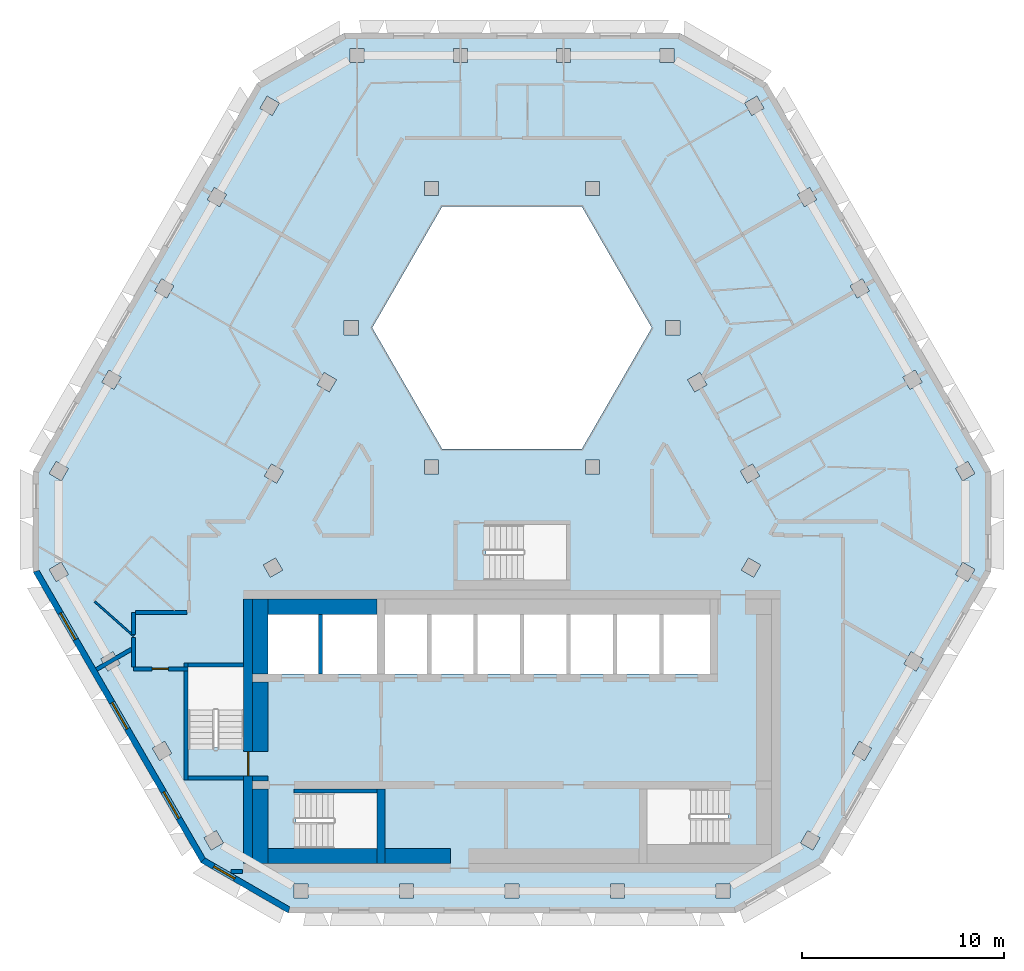
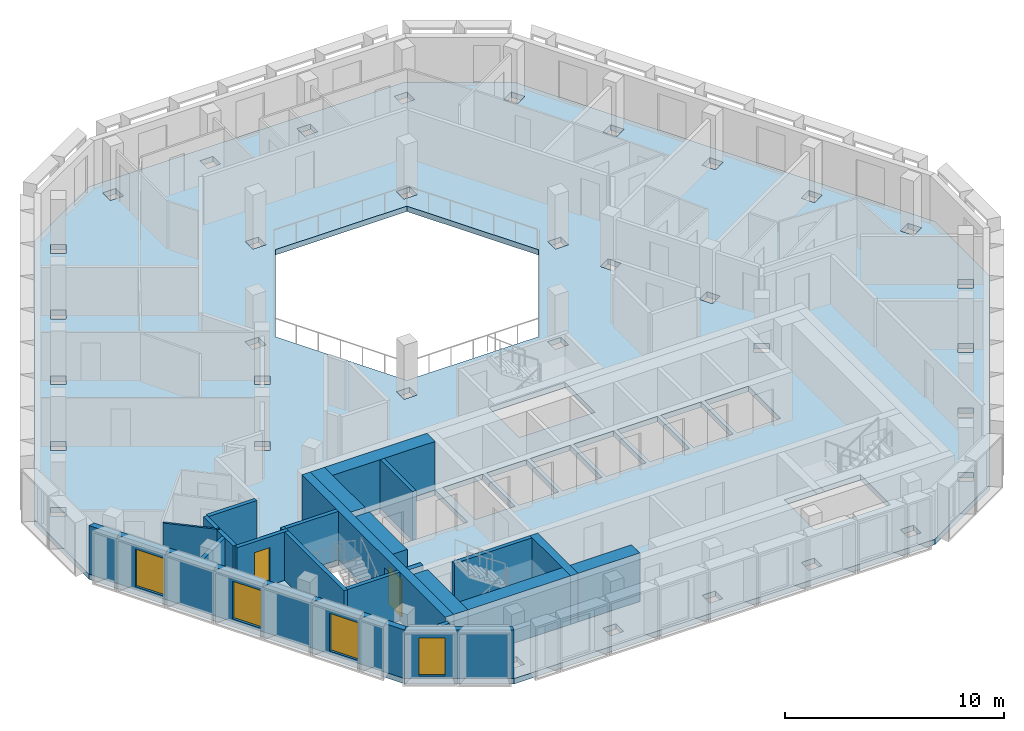
# One storey, part 2 of 14: 23 walls, 4 windows, 2 doors, 1 slab, 6 openings.
"""IFC4 building model written with IfcOpenShell, lengths in metres."""

from ifc_helpers import new_model, si_unit, direction, frame, frame_2d, origin, place, context, subcontext, project, spatial, polyline, rectangle, outline, extrude, material, layer, layer_set, type_object, element, fill, save


model = new_model("IFC4")

# Units and contexts
model_context = context("Model", 3, precision=1e-05, world=origin(), true_north=direction((0.0, 1.0)))
body_context = subcontext(model_context, "Body", "Model", "MODEL_VIEW")
ifc_project = project(units=[si_unit("LENGTHUNIT", "METRE"), si_unit("AREAUNIT", "SQUARE_METRE"), si_unit("VOLUMEUNIT", "CUBIC_METRE"), si_unit("PLANEANGLEUNIT", "RADIAN"), si_unit("MASSUNIT", "GRAM", prefix="KILO")], contexts=[model_context])

# Site, building, storey
site_placement = place(None, origin())
site = spatial("IfcSite", under=ifc_project, at=site_placement, CompositionType="ELEMENT")
building_placement = place(site_placement, origin())
building = spatial("IfcBuilding", under=site, at=building_placement, Name="Beryl Residences", CompositionType="ELEMENT")
storey_placement = place(building_placement, frame((0.0, 0.0, 235.800048828125)))
storey = spatial("IfcBuildingStorey", under=building, at=storey_placement, Name="L73", CompositionType="ELEMENT", Elevation=235.800048828125)

# Slab
ifc_material_1 = material(Name="Concrete C40/50", Category="concrete")
ifc_layer_1 = layer(ifc_material_1, 0.300048828125)
ifc_layer_set_1 = layer_set([ifc_layer_1], Name="SL7 PT floor slab 300 mm C40/50")
slab_type = type_object("IfcSlabType", Name="SL7 PT floor slab 300 mm C40/50", PredefinedType="FLOOR", material=ifc_layer_set_1)
slab_placement = place(storey_placement, frame((0.0, 0.0, -0.300048828125)))
element("IfcSlab", 1, at=slab_placement, inside=storey, type_object=slab_type, Name="L73 slab 1", PredefinedType="FLOOR", context=body_context, shape_type="SweptSolid", body=[
    extrude(outline(polyline([(23.72900390625, -4.10009765625), (15.4150390625, -18.5), (11.0849609375, -21.0), (-11.0849609375, -21.0), (-15.4150390625, -18.5), (-23.72900390625, -4.10009765625), (-23.72900390625, 0.89990234375), (-12.64404296875, 20.10009765625), (-8.31396484375, 22.60009765625), (8.31396484375, 22.60009765625), (12.64404296875, 20.10009765625), (23.72900390625, 0.89990234375), (23.72900390625, -4.10009765625)]), holes=[polyline([(21.97998046875, 1.028076171875), (22.330078125, 0.422119140625), (22.93603515625, 0.77197265625), (22.5859375, 1.3779296875), (21.97998046875, 1.028076171875)]), polyline([(21.97998046875, -4.22900390625), (22.5859375, -4.5791015625), (22.93603515625, -3.972900390625), (22.330078125, -3.623046875), (21.97998046875, -4.22900390625)]), polyline([(19.77099609375, -8.055908203125), (19.4208984375, -8.662109375), (20.027099609375, -9.011962890625), (20.376953125, -8.406005859375), (19.77099609375, -8.055908203125)]), polyline([(19.367919921875, 5.552978515625), (19.718017578125, 4.947021484375), (20.323974609375, 5.297119140625), (19.97412109375, 5.903076171875), (19.367919921875, 5.552978515625)]), polyline([(17.2109375, -12.489013671875), (16.861083984375, -13.094970703125), (17.467041015625, -13.445068359375), (17.81689453125, -12.839111328125), (17.2109375, -12.489013671875)]), polyline([(17.361083984375, 10.427978515625), (16.7548828125, 10.077880859375), (17.10498046875, 9.471923828125), (17.7109375, 9.822021484375), (17.361083984375, 10.427978515625)]), polyline([(15.258056640625, -17.27197265625), (14.652099609375, -16.922119140625), (14.302001953125, -17.528076171875), (14.907958984375, -17.8779296875), (15.258056640625, -17.27197265625)]), polyline([(14.14306640625, 14.60302734375), (14.492919921875, 13.9970703125), (15.09912109375, 14.346923828125), (14.7490234375, 14.952880859375), (14.14306640625, 14.60302734375)]), polyline([(11.531005859375, 19.1279296875), (11.881103515625, 18.52197265625), (12.487060546875, 18.8720703125), (12.136962890625, 19.47802734375), (11.531005859375, 19.1279296875)]), polyline([(11.717041015625, -3.406005859375), (11.366943359375, -4.011962890625), (11.972900390625, -4.362060546875), (12.322998046875, -3.756103515625), (11.717041015625, -3.406005859375)]), polyline([(11.919921875, 1.2529296875), (11.31396484375, 0.903076171875), (11.6640625, 0.297119140625), (12.27001953125, 0.64697265625), (11.919921875, 1.2529296875)]), polyline([(10.800048828125, -19.550048828125), (10.10009765625, -19.550048828125), (10.10009765625, -20.25), (10.800048828125, -20.25), (10.800048828125, -19.550048828125)]), polyline([(6.699951171875, -14.85009765625), (6.699951171875, -17.60009765625), (10.699951171875, -17.60009765625), (10.699951171875, -14.85009765625), (6.699951171875, -14.85009765625)]), polyline([(7.5, -9.14990234375), (9.800048828125, -9.14990234375), (9.800048828125, -6.199951171875), (7.5, -6.199951171875), (7.5, -9.14990234375)]), polyline([(8.700927734375, 5.427978515625), (9.051025390625, 4.822021484375), (9.656982421875, 5.172119140625), (9.306884765625, 5.778076171875), (8.700927734375, 5.427978515625)]), polyline([(8.31689453125, 7.64990234375), (8.31689453125, 8.35009765625), (7.616943359375, 8.35009765625), (7.616943359375, 7.64990234375), (8.31689453125, 7.64990234375)]), polyline([(7.3291015625, 21.85009765625), (7.3291015625, 21.14990234375), (8.029052734375, 21.14990234375), (8.029052734375, 21.85009765625), (7.3291015625, 21.85009765625)]), polyline([(5.199951171875, -9.14990234375), (7.300048828125, -9.14990234375), (7.300048828125, -6.199951171875), (5.199951171875, -6.199951171875), (5.199951171875, -9.14990234375)]), polyline([(3.464111328125, 14.0), (-3.464111328125, 14.0), (-6.92822265625, 8.0), (-3.464111328125, 2.0), (3.464111328125, 2.0), (6.92822265625, 8.0), (3.464111328125, 14.0)]), polyline([(4.875, -19.550048828125), (4.875, -20.25), (5.574951171875, -20.25), (5.574951171875, -19.550048828125), (4.875, -19.550048828125)]), polyline([(2.89990234375, -9.14990234375), (5.0, -9.14990234375), (5.0, -6.199951171875), (2.89990234375, -6.199951171875), (2.89990234375, -9.14990234375)]), polyline([(4.333984375, 15.25), (3.634033203125, 15.25), (3.634033203125, 14.550048828125), (4.333984375, 14.550048828125), (4.333984375, 15.25)]), polyline([(4.333984375, 1.449951171875), (3.634033203125, 1.449951171875), (3.634033203125, 0.75), (4.333984375, 0.75), (4.333984375, 1.449951171875)]), polyline([(2.2099609375, 21.85009765625), (2.2099609375, 21.14990234375), (2.909912109375, 21.14990234375), (2.909912109375, 21.85009765625), (2.2099609375, 21.85009765625)]), polyline([(2.699951171875, -9.14990234375), (2.699951171875, -6.199951171875), (0.60009765625, -6.199951171875), (0.60009765625, -9.14990234375), (2.699951171875, -9.14990234375)]), polyline([(2.699951171875, -4.5), (2.699951171875, -1.75), (-1.300048828125, -1.75), (-1.300048828125, -4.5), (2.699951171875, -4.5)]), polyline([(0.39990234375, -6.199951171875), (-1.699951171875, -6.199951171875), (-1.699951171875, -9.14990234375), (0.39990234375, -9.14990234375), (0.39990234375, -6.199951171875)]), polyline([(0.35009765625, -19.550048828125), (-0.35009765625, -19.550048828125), (-0.35009765625, -20.25), (0.35009765625, -20.25), (0.35009765625, -19.550048828125)]), polyline([(-4.0, -9.14990234375), (-1.89990234375, -9.14990234375), (-1.89990234375, -6.199951171875), (-4.0, -6.199951171875), (-4.0, -9.14990234375)]), polyline([(-2.908935546875, 21.14990234375), (-2.208984375, 21.14990234375), (-2.208984375, 21.85009765625), (-2.908935546875, 21.85009765625), (-2.908935546875, 21.14990234375)]), polyline([(-3.634033203125, 15.25), (-4.333984375, 15.25), (-4.333984375, 14.550048828125), (-3.634033203125, 14.550048828125), (-3.634033203125, 15.25)]), polyline([(-4.333984375, 1.449951171875), (-4.333984375, 0.75), (-3.634033203125, 0.75), (-3.634033203125, 1.449951171875), (-4.333984375, 1.449951171875)]), polyline([(-6.300048828125, -9.14990234375), (-4.199951171875, -9.14990234375), (-4.199951171875, -6.199951171875), (-6.300048828125, -6.199951171875), (-6.300048828125, -9.14990234375)]), polyline([(-4.875, -19.550048828125), (-5.574951171875, -19.550048828125), (-5.574951171875, -20.25), (-4.875, -20.25), (-4.875, -19.550048828125)]), polyline([(-9.39990234375, -6.199951171875), (-9.39990234375, -9.14990234375), (-6.699951171875, -9.14990234375), (-6.699951171875, -6.199951171875), (-9.39990234375, -6.199951171875)]), polyline([(-10.699951171875, -15.050048828125), (-10.699951171875, -17.800048828125), (-6.699951171875, -17.800048828125), (-6.699951171875, -15.050048828125), (-10.699951171875, -15.050048828125)]), polyline([(-8.028076171875, 21.14990234375), (-7.327880859375, 21.14990234375), (-7.327880859375, 21.85009765625), (-8.028076171875, 21.85009765625), (-8.028076171875, 21.14990234375)]), polyline([(-7.616943359375, 7.64990234375), (-7.616943359375, 8.35009765625), (-8.31689453125, 8.35009765625), (-8.31689453125, 7.64990234375), (-7.616943359375, 7.64990234375)]), polyline([(-9.051025390625, 4.822021484375), (-8.700927734375, 5.427978515625), (-9.306884765625, 5.778076171875), (-9.656982421875, 5.172119140625), (-9.051025390625, 4.822021484375)]), polyline([(-12.10009765625, -9.14990234375), (-9.60009765625, -9.14990234375), (-9.60009765625, -6.199951171875), (-12.10009765625, -6.199951171875), (-12.10009765625, -9.14990234375)]), polyline([(-10.800048828125, -19.550048828125), (-10.800048828125, -20.25), (-10.10009765625, -20.25), (-10.10009765625, -19.550048828125), (-10.800048828125, -19.550048828125)]), polyline([(-12.27001953125, 0.64697265625), (-11.6640625, 0.297119140625), (-11.31396484375, 0.903076171875), (-11.919921875, 1.2529296875), (-12.27001953125, 0.64697265625)]), polyline([(-11.972900390625, -4.361083984375), (-11.366943359375, -4.010986328125), (-11.717041015625, -3.405029296875), (-12.322998046875, -3.7548828125), (-11.972900390625, -4.361083984375)]), polyline([(-12.487060546875, 18.8720703125), (-11.881103515625, 18.52197265625), (-11.531005859375, 19.1279296875), (-12.136962890625, 19.47802734375), (-12.487060546875, 18.8720703125)]), polyline([(-13.300048828125, -8.800048828125), (-16.050048828125, -8.800048828125), (-16.050048828125, -12.800048828125), (-13.300048828125, -12.800048828125), (-13.300048828125, -8.800048828125)]), polyline([(-14.14306640625, 14.60302734375), (-14.7490234375, 14.952880859375), (-15.09912109375, 14.346923828125), (-14.492919921875, 13.9970703125), (-14.14306640625, 14.60302734375)]), polyline([(-14.302978515625, -17.527099609375), (-14.653076171875, -16.9208984375), (-15.259033203125, -17.27099609375), (-14.908935546875, -17.876953125), (-14.302978515625, -17.527099609375)]), polyline([(-17.10498046875, 9.471923828125), (-16.7548828125, 10.077880859375), (-17.361083984375, 10.427978515625), (-17.7109375, 9.822021484375), (-17.10498046875, 9.471923828125)]), polyline([(-17.2119140625, -12.488037109375), (-17.818115234375, -12.837890625), (-17.468017578125, -13.444091796875), (-16.862060546875, -13.093994140625), (-17.2119140625, -12.488037109375)]), polyline([(-19.718017578125, 4.947021484375), (-19.367919921875, 5.552978515625), (-19.97412109375, 5.903076171875), (-20.323974609375, 5.297119140625), (-19.718017578125, 4.947021484375)]), polyline([(-19.4208984375, -8.660888671875), (-19.77099609375, -8.054931640625), (-20.376953125, -8.405029296875), (-20.027099609375, -9.010986328125), (-19.4208984375, -8.660888671875)]), polyline([(-22.330078125, 0.422119140625), (-21.97998046875, 1.028076171875), (-22.5859375, 1.3779296875), (-22.93603515625, 0.77197265625), (-22.330078125, 0.422119140625)]), polyline([(-21.98095703125, -4.22802734375), (-22.3310546875, -3.6220703125), (-22.93701171875, -3.971923828125), (-22.5869140625, -4.577880859375), (-21.98095703125, -4.22802734375)])]), origin(), (0.0, 0.0, 1.0), 0.300048828125),
])

# Wall, openings, windows
ifc_material_2 = material(Name="Composite metal panel with mineral wool insulation")
ifc_layer_2 = layer(ifc_material_2, 0.300048828125)
ifc_layer_set_2 = layer_set([ifc_layer_2], Name="ES1 pale metal composite panel wall 300 mm")
wall_type_1 = type_object("IfcWallType", Name="ES1 pale metal composite panel wall 300 mm", PredefinedType="SOLIDWALL", material=ifc_layer_set_2)
wall_1_placement = place(storey_placement, frame((-23.59912109375, -4.02490234375, 0.0), z_axis=(0.0, 0.0, 1.0), x_axis=(0.500012653391, -0.866018098222, 0.0)))
wall_1 = element("IfcWall", 2, at=wall_1_placement, inside=storey, type_object=wall_type_1, Name="ES1 external wall L73 SW", PredefinedType="SOLIDWALL", context=body_context, shape_type="SweptSolid", body=[
    extrude(outline(polyline([(0.0, -0.14990234375), (16.6279296875, -0.14990234375), (16.547607421875, 0.14990234375), (0.080322265625, 0.14990234375), (0.0, -0.14990234375)])), origin(), (0.0, 0.0, 1.0), 2.699951171875),
])
opening_1_placement = place(wall_1_placement, frame((2.444091796875, 0.0, 0.14990234375)))
opening_1 = element("IfcOpeningElement", 3, at=opening_1_placement, cuts=wall_1, Name="Opening W1", PredefinedType="OPENING", context=body_context, shape_type="SweptSolid", body=[
    extrude(rectangle(XDim=1.5, YDim=2.10009765625, at=frame_2d((0.75, 1.050048828125))), frame((0.0, 0.159912109375, 0.0), z_axis=(0.0, -1.0, 0.0), x_axis=(1.0, 0.0, 0.0)), (0.0, 0.0, 1.0), 0.320068359375),
])
opening_2_placement = place(wall_1_placement, frame((7.56396484375, 0.0, 0.14990234375)))
opening_2 = element("IfcOpeningElement", 4, at=opening_2_placement, cuts=wall_1, Name="Opening W1", PredefinedType="OPENING", context=body_context, shape_type="SweptSolid", body=[
    extrude(rectangle(XDim=1.5, YDim=2.10009765625, at=frame_2d((0.75, 1.050048828125))), frame((0.0, 0.159912109375, 0.0), z_axis=(0.0, -1.0, 0.0), x_axis=(1.0, 0.0, 0.0)), (0.0, 0.0, 1.0), 0.320068359375),
])
opening_3_placement = place(wall_1_placement, frame((12.681884765625, 0.0, 0.14990234375)))
opening_3 = element("IfcOpeningElement", 5, at=opening_3_placement, cuts=wall_1, Name="Opening W1", PredefinedType="OPENING", context=body_context, shape_type="SweptSolid", body=[
    extrude(rectangle(XDim=1.5, YDim=2.10009765625, at=frame_2d((0.75, 1.050048828125))), frame((0.0, 0.159912109375, 0.0), z_axis=(0.0, -1.0, 0.0), x_axis=(1.0, 0.0, 0.0)), (0.0, 0.0, 1.0), 0.320068359375),
])
ifc_material_3 = material(Name="Aluminium and clear glass", Category="aluminium")
window_type_1 = type_object("IfcWindowType", Name="W1 cell window 1500 x 2100 mm", PartitioningType="SINGLE_PANEL", PredefinedType="WINDOW", material=ifc_material_3)
window_1_placement = place(opening_1_placement, origin())
window_1 = element("IfcWindow", 6, at=window_1_placement, inside=storey, type_object=window_type_1, Name="W1 window L73 SW 2", OverallHeight=2.10009765625, OverallWidth=1.5, PartitioningType="SINGLE_PANEL", PredefinedType="WINDOW", context=body_context, shape_type="SweptSolid", body=[
    extrude(rectangle(XDim=1.5, YDim=2.10009765625, at=frame_2d((0.75, 1.050048828125))), frame((0.0, 0.030029296875, 0.0), z_axis=(0.0, -1.0, 0.0), x_axis=(1.0, 0.0, 0.0)), (0.0, 0.0, 1.0), 0.06005859375),
])
fill(opening_1, window_1)
window_2_placement = place(opening_2_placement, origin())
window_2 = element("IfcWindow", 7, at=window_2_placement, inside=storey, type_object=window_type_1, Name="W1 window L73 SW 4", OverallHeight=2.10009765625, OverallWidth=1.5, PartitioningType="SINGLE_PANEL", PredefinedType="WINDOW", context=body_context, shape_type="SweptSolid", body=[
    extrude(rectangle(XDim=1.5, YDim=2.10009765625, at=frame_2d((0.75, 1.050048828125))), frame((0.0, 0.030029296875, 0.0), z_axis=(0.0, -1.0, 0.0), x_axis=(1.0, 0.0, 0.0)), (0.0, 0.0, 1.0), 0.06005859375),
])
fill(opening_2, window_2)
window_3_placement = place(opening_3_placement, origin())
window_3 = element("IfcWindow", 8, at=window_3_placement, inside=storey, type_object=window_type_1, Name="W1 window L73 SW 6", OverallHeight=2.10009765625, OverallWidth=1.5, PartitioningType="SINGLE_PANEL", PredefinedType="WINDOW", context=body_context, shape_type="SweptSolid", body=[
    extrude(rectangle(XDim=1.5, YDim=2.10009765625, at=frame_2d((0.75, 1.050048828125))), frame((0.0, 0.030029296875, 0.0), z_axis=(0.0, -1.0, 0.0), x_axis=(1.0, 0.0, 0.0)), (0.0, 0.0, 1.0), 0.06005859375),
])
fill(opening_3, window_3)

# Wall, opening, window
wall_2_placement = place(storey_placement, frame((-15.340087890625, -18.3701171875, 0.0), z_axis=(0.0, 0.0, 1.0), x_axis=(0.866022959057, -0.500004234368, 0.0)))
wall_2 = element("IfcWall", 9, at=wall_2_placement, inside=storey, type_object=wall_type_1, Name="ES1 external wall L73 SW-S", PredefinedType="SOLIDWALL", context=body_context, shape_type="SweptSolid", body=[
    extrude(outline(polyline([(0.0, -0.14990234375), (5.0, -0.14990234375), (4.919677734375, 0.14990234375), (0.080322265625, 0.14990234375), (0.0, -0.14990234375)])), origin(), (0.0, 0.0, 1.0), 2.699951171875),
])
opening_4_placement = place(wall_2_placement, frame((0.64990234375, 0.0, 0.14990234375)))
opening_4 = element("IfcOpeningElement", 10, at=opening_4_placement, cuts=wall_2, Name="Opening W2", PredefinedType="OPENING", context=body_context, shape_type="SweptSolid", body=[
    extrude(rectangle(XDim=1.199951171875, YDim=2.10009765625, at=frame_2d((0.60009765625, 1.050048828125))), frame((0.0, 0.159912109375, 0.0), z_axis=(0.0, -1.0, 0.0), x_axis=(1.0, 0.0, 0.0)), (0.0, 0.0, 1.0), 0.320068359375),
])
ifc_material_4 = material(Name="Aluminium and clear glass", Category="aluminium")
window_type_2 = type_object("IfcWindowType", Name="W2 chamfer window 1200 x 2100 mm", PartitioningType="SINGLE_PANEL", PredefinedType="WINDOW", material=ifc_material_4)
window_4_placement = place(opening_4_placement, origin())
window_4 = element("IfcWindow", 11, at=window_4_placement, inside=storey, type_object=window_type_2, Name="W2 window L73 SW-S 1", OverallHeight=2.10009765625, OverallWidth=1.199951171875, PartitioningType="SINGLE_PANEL", PredefinedType="WINDOW", context=body_context, shape_type="SweptSolid", body=[
    extrude(rectangle(XDim=1.199951171875, YDim=2.10009765625, at=frame_2d((0.60009765625, 1.050048828125))), frame((0.0, 0.030029296875, 0.0), z_axis=(0.0, -1.0, 0.0), x_axis=(1.0, 0.0, 0.0)), (0.0, 0.0, 1.0), 0.06005859375),
])
fill(opening_4, window_4)

# Walls
ifc_material_5 = material(Name="Gypsum board partition on steel studs", Category="steel")
ifc_layer_3 = layer(ifc_material_5, 0.10009765625)
ifc_layer_set_3 = layer_set([ifc_layer_3], Name="PT1 partition 100 mm gypsum board on steel studs")
wall_type_2 = type_object("IfcWallType", Name="PT1 partition 100 mm gypsum board on steel studs", PredefinedType="PARTITIONING", material=ifc_layer_set_3)
wall_3_placement = place(storey_placement, frame((-20.678955078125, -5.56494140625, 0.0), z_axis=(0.0, 0.0, 1.0), x_axis=(0.748495475416, -0.663139897217, 0.0)))
element("IfcWall", 12, at=wall_3_placement, inside=storey, type_object=wall_type_2, Name="Wall PT1 L73 020", PredefinedType="PARTITIONING", context=body_context, shape_type="SweptSolid", body=[
    extrude(rectangle(XDim=2.5771484375, YDim=0.10009765625, at=frame_2d((1.28857421875, 0.0))), origin(), (0.0, 0.0, 1.0), 2.699951171875),
])
ifc_material_6 = material(Name="Concrete masonry", Category="masonry")
ifc_layer_4 = layer(ifc_material_6, 0.25)
ifc_layer_set_4 = layer_set([ifc_layer_4], Name="PT13-250 lobby wall 250 mm")
wall_type_3 = type_object("IfcWallType", Name="PT13-250 lobby wall 250 mm", PredefinedType="PARTITIONING", material=ifc_layer_set_4)
wall_4_placement = place(storey_placement, frame((-12.85009765625, -14.324951171875, 0.0), z_axis=(0.0, 0.0, 1.0), x_axis=(1.0, 0.0, 0.0)))
element("IfcWall", 13, at=wall_4_placement, inside=storey, type_object=wall_type_3, Name="Lobby wall 05", PredefinedType="PARTITIONING", context=body_context, shape_type="SweptSolid", body=[
    extrude(rectangle(XDim=0.75, YDim=0.25, at=frame_2d((0.375, 0.0))), origin(), (0.0, 0.0, 1.0), 2.699951171875),
])
ifc_material_7 = material(Name="Concrete masonry", Category="masonry")
ifc_layer_5 = layer(ifc_material_7, 0.75)
ifc_layer_set_5 = layer_set([ifc_layer_5], Name="PT13-750 lobby wall 750 mm")
wall_type_4 = type_object("IfcWallType", Name="PT13-750 lobby wall 750 mm", PredefinedType="PARTITIONING", material=ifc_layer_set_5)
wall_5_placement = place(storey_placement, frame((-12.47509765625, -13.0, 0.0), z_axis=(0.0, 0.0, 1.0), x_axis=(0.0, 1.0, 0.0)))
element("IfcWall", 14, at=wall_5_placement, inside=storey, type_object=wall_type_4, Name="Lobby wall 06", PredefinedType="PARTITIONING", context=body_context, shape_type="SweptSolid", body=[
    extrude(rectangle(XDim=3.449951171875, YDim=0.75, at=frame_2d((1.72509765625, 0.0))), origin(), (0.0, 0.0, 1.0), 2.699951171875),
])
ifc_material_8 = material(Name="Acoustic double stud gypsum board wall")
ifc_layer_6 = layer(ifc_material_8, 0.199951171875)
ifc_layer_set_6 = layer_set([ifc_layer_6], Name="PT3 party wall 200 mm acoustic double stud")
wall_type_5 = type_object("IfcWallType", Name="PT3 party wall 200 mm acoustic double stud", PredefinedType="PARTITIONING", material=ifc_layer_set_6)
wall_6_placement = place(storey_placement, frame((-13.9150390625, -18.949951171875, 0.0), z_axis=(0.0, 0.0, 1.0), x_axis=(1.0, 0.0, 0.0)))
element("IfcWall", 15, at=wall_6_placement, inside=storey, type_object=wall_type_5, Name="Wall PT3 L73 007", PredefinedType="PARTITIONING", context=body_context, shape_type="SweptSolid", body=[
    extrude(rectangle(XDim=0.554931640625, YDim=0.199951171875, at=frame_2d((0.27734375, 0.0))), origin(), (0.0, 0.0, 1.0), 2.699951171875),
])
wall_7_placement = place(storey_placement, frame((-20.592041015625, -8.93310546875, 0.0), z_axis=(0.0, 0.0, 1.0), x_axis=(0.865941000796, 0.500146161777, 0.0)))
element("IfcWall", 16, at=wall_7_placement, inside=storey, type_object=wall_type_5, Name="Wall PT3 L73 011", PredefinedType="PARTITIONING", context=body_context, shape_type="SweptSolid", body=[
    extrude(rectangle(XDim=2.01171875, YDim=0.199951171875, at=frame_2d((1.005859375, 0.0))), origin(), (0.0, 0.0, 1.0), 2.699951171875),
])
ifc_material_9 = material(Name="Double stud gypsum board wall")
ifc_layer_7 = layer(ifc_material_9, 0.199951171875)
ifc_layer_set_7 = layer_set([ifc_layer_7], Name="PT4 corridor wall 200 mm double stud")
wall_type_6 = type_object("IfcWallType", Name="PT4 corridor wall 200 mm double stud", PredefinedType="PARTITIONING", material=ifc_layer_set_7)
wall_8_placement = place(storey_placement, frame((-18.75, -7.341064453125, 0.0), z_axis=(0.0, 0.0, 1.0), x_axis=(0.0, -1.0, 0.0)))
element("IfcWall", 17, at=wall_8_placement, inside=storey, type_object=wall_type_6, Name="Wall PT4 L73 007", PredefinedType="PARTITIONING", context=body_context, shape_type="SweptSolid", body=[
    extrude(rectangle(XDim=1.4580078125, YDim=0.199951171875, at=frame_2d((0.72900390625, 0.0))), origin(), (0.0, 0.0, 1.0), 2.699951171875),
])
wall_9_placement = place(storey_placement, frame((-18.64892578125, -6.10009765625, 0.0), z_axis=(0.0, 0.0, 1.0), x_axis=(1.0, 0.0, 0.0)))
element("IfcWall", 18, at=wall_9_placement, inside=storey, type_object=wall_type_6, Name="Wall PT4 L73 010", PredefinedType="PARTITIONING", context=body_context, shape_type="SweptSolid", body=[
    extrude(rectangle(XDim=2.5478515625, YDim=0.199951171875, at=frame_2d((1.27392578125, 0.0))), origin(), (0.0, 0.0, 1.0), 2.699951171875),
])

# Wall, opening, door
wall_10_placement = place(storey_placement, frame((-18.7490234375, -8.89990234375, 0.0), z_axis=(0.0, 0.0, 1.0), x_axis=(1.0, 0.0, 0.0)))
wall_10 = element("IfcWall", 19, at=wall_10_placement, inside=storey, type_object=wall_type_6, Name="Wall PT4 L73 011", PredefinedType="PARTITIONING", context=body_context, shape_type="SweptSolid", body=[
    extrude(rectangle(XDim=2.698974609375, YDim=0.199951171875, at=frame_2d((1.349609375, 0.0))), origin(), (0.0, 0.0, 1.0), 2.699951171875),
])
opening_5_placement = place(wall_10_placement, frame((0.9189453125, 0.0, 0.0)))
opening_5 = element("IfcOpeningElement", 20, at=opening_5_placement, cuts=wall_10, Name="Opening D2220", PredefinedType="OPENING", context=body_context, shape_type="SweptSolid", body=[
    extrude(rectangle(XDim=0.800048828125, YDim=2.10009765625, at=frame_2d((0.39990234375, 1.050048828125))), frame((0.0, 0.10986328125, 0.0), z_axis=(0.0, -1.0, 0.0), x_axis=(1.0, 0.0, 0.0)), (0.0, 0.0, 1.0), 0.219970703125),
])
ifc_material_10 = material(Name="Timber door leaf", Category="wood")
door_type_1 = type_object("IfcDoorType", Name="D3 bathroom door 800 x 2100 mm", OperationType="SINGLE_SWING_LEFT", PredefinedType="DOOR", material=ifc_material_10)
door_1_placement = place(opening_5_placement, origin())
door_1 = element("IfcDoor", 21, at=door_1_placement, inside=storey, type_object=door_type_1, Name="Door D2220 L73 001", OperationType="SINGLE_SWING_RIGHT", OverallHeight=2.10009765625, OverallWidth=0.800048828125, PredefinedType="DOOR", context=body_context, shape_type="SweptSolid", body=[
    extrude(rectangle(XDim=0.800048828125, YDim=2.10009765625, at=frame_2d((0.39990234375, 1.050048828125))), frame((0.0, 0.02490234375, 0.0), z_axis=(0.0, -1.0, 0.0), x_axis=(1.0, 0.0, 0.0)), (0.0, 0.0, 1.0), 0.050048828125),
])
fill(opening_5, door_1)

# Walls
wall_11_placement = place(storey_placement, frame((-18.75, -7.20703125, 0.0), z_axis=(0.0, 0.0, 1.0), x_axis=(0.0, 1.0, 0.0)))
element("IfcWall", 22, at=wall_11_placement, inside=storey, type_object=wall_type_6, Name="Wall PT4 L73 028", PredefinedType="PARTITIONING", context=body_context, shape_type="SweptSolid", body=[
    extrude(rectangle(XDim=1.10595703125, YDim=0.199951171875, at=frame_2d((0.552978515625, 0.0))), origin(), (0.0, 0.0, 1.0), 2.699951171875),
])
ifc_material_11 = material(Name="Concrete C40/50", Category="concrete")
ifc_layer_8 = layer(ifc_material_11, 0.199951171875)
ifc_layer_set_8 = layer_set([ifc_layer_8], Name="PT5 stair enclosure wall 200 mm reinforced concrete C40/50")
wall_type_7 = type_object("IfcWallType", Name="PT5 stair enclosure wall 200 mm reinforced concrete C40/50", PredefinedType="SOLIDWALL", material=ifc_layer_set_8)
wall_12_placement = place(storey_placement, frame((-16.14990234375, -14.39990234375, 0.0), z_axis=(0.0, 0.0, 1.0), x_axis=(0.0, 1.0, 0.0)))
element("IfcWall", 23, at=wall_12_placement, inside=storey, type_object=wall_type_7, Name="Stair wall 01", PredefinedType="SOLIDWALL", context=body_context, shape_type="SweptSolid", body=[
    extrude(rectangle(XDim=5.7998046875, YDim=0.199951171875, at=frame_2d((2.89990234375, 0.0))), origin(), (0.0, 0.0, 1.0), 2.699951171875),
])
for number, where, z_axis, x_axis, name in (
    (24, (-16.050048828125, -14.300048828125, 0.0), (0.0, 0.0, 1.0), (1.0, 0.0, 0.0), "Stair wall 02"),
    (25, (-16.050048828125, -8.699951171875, 0.0), (0.0, 0.0, 1.0), (1.0, 0.0, 0.0), "Stair wall 03"),
):
    element("IfcWall", number, at=place(storey_placement, frame(where, z_axis=z_axis, x_axis=x_axis)), inside=storey, type_object=wall_type_7, Name=name, PredefinedType="SOLIDWALL", context=body_context, shape_type="SweptSolid", body=[
        extrude(rectangle(XDim=2.75, YDim=0.199951171875, at=frame_2d((1.375, 0.0))), origin(), (0.0, 0.0, 1.0), 2.699951171875),
    ])
wall_13_placement = place(storey_placement, frame((-10.800048828125, -14.949951171875, 0.0), z_axis=(0.0, 0.0, 1.0), x_axis=(1.0, 0.0, 0.0)))
element("IfcWall", 26, at=wall_13_placement, inside=storey, type_object=wall_type_7, Name="Stair wall 10", PredefinedType="SOLIDWALL", context=body_context, shape_type="SweptSolid", body=[
    extrude(rectangle(XDim=4.10009765625, YDim=0.199951171875, at=frame_2d((2.050048828125, 0.0))), origin(), (0.0, 0.0, 1.0), 2.699951171875),
])
ifc_material_12 = material(Name="Concrete C40/50", Category="concrete")
ifc_layer_9 = layer(ifc_material_12, 0.75)
ifc_layer_set_9 = layer_set([ifc_layer_9], Name="PT5-750 stair enclosure wall 750 mm")
wall_type_8 = type_object("IfcWallType", Name="PT5-750 stair enclosure wall 750 mm", PredefinedType="SOLIDWALL", material=ifc_layer_set_9)
wall_14_placement = place(storey_placement, frame((-12.47509765625, -18.550048828125, 0.0), z_axis=(0.0, 0.0, 1.0), x_axis=(0.0, 1.0, 0.0)))
element("IfcWall", 27, at=wall_14_placement, inside=storey, type_object=wall_type_8, Name="Stair wall 04", PredefinedType="SOLIDWALL", context=body_context, shape_type="SweptSolid", body=[
    extrude(rectangle(XDim=3.699951171875, YDim=0.75, at=frame_2d((1.85009765625, 0.0))), origin(), (0.0, 0.0, 1.0), 2.699951171875),
])
wall_15_placement = place(storey_placement, frame((-12.10009765625, -18.175048828125, 0.0), z_axis=(0.0, 0.0, 1.0), x_axis=(1.0, 0.0, 0.0)))
element("IfcWall", 28, at=wall_15_placement, inside=storey, type_object=wall_type_8, Name="Stair wall 08", PredefinedType="SOLIDWALL", context=body_context, shape_type="SweptSolid", body=[
    extrude(rectangle(XDim=5.400146484375, YDim=0.75, at=frame_2d((2.7001953125, 0.0))), origin(), (0.0, 0.0, 1.0), 2.699951171875),
])
ifc_material_13 = material(Name="Concrete C40/50", Category="concrete")
ifc_layer_10 = layer(ifc_material_13, 0.199951171875)
ifc_layer_set_10 = layer_set([ifc_layer_10], Name="PT6 lift shaft wall 200 mm reinforced concrete C40/50")
wall_type_9 = type_object("IfcWallType", Name="PT6 lift shaft wall 200 mm reinforced concrete C40/50", PredefinedType="SOLIDWALL", material=ifc_layer_set_10)
wall_16_placement = place(storey_placement, frame((-9.5, -9.14990234375, 0.0), z_axis=(0.0, 0.0, 1.0), x_axis=(0.0, 1.0, 0.0)))
element("IfcWall", 29, at=wall_16_placement, inside=storey, type_object=wall_type_9, Name="Lift shaft wall 11", PredefinedType="SOLIDWALL", context=body_context, shape_type="SweptSolid", body=[
    extrude(rectangle(XDim=2.949951171875, YDim=0.199951171875, at=frame_2d((1.47509765625, 0.0))), origin(), (0.0, 0.0, 1.0), 2.699951171875),
])
ifc_material_14 = material(Name="Concrete C40/50", Category="concrete")
ifc_layer_11 = layer(ifc_material_14, 0.75)
ifc_layer_set_11 = layer_set([ifc_layer_11], Name="PT6-750 lift shaft wall 750 mm")
wall_type_10 = type_object("IfcWallType", Name="PT6-750 lift shaft wall 750 mm", PredefinedType="SOLIDWALL", material=ifc_layer_set_11)
wall_17_placement = place(storey_placement, frame((-12.47509765625, -9.14990234375, 0.0), z_axis=(0.0, 0.0, 1.0), x_axis=(0.0, 1.0, 0.0)))
element("IfcWall", 30, at=wall_17_placement, inside=storey, type_object=wall_type_10, Name="Lift shaft wall 07", PredefinedType="SOLIDWALL", context=body_context, shape_type="SweptSolid", body=[
    extrude(rectangle(XDim=3.699951171875, YDim=0.75, at=frame_2d((1.85009765625, 0.0))), origin(), (0.0, 0.0, 1.0), 2.699951171875),
])
wall_18_placement = place(storey_placement, frame((-12.10009765625, -5.824951171875, 0.0), z_axis=(0.0, 0.0, 1.0), x_axis=(1.0, 0.0, 0.0)))
element("IfcWall", 31, at=wall_18_placement, inside=storey, type_object=wall_type_10, Name="Lift shaft wall 09", PredefinedType="SOLIDWALL", context=body_context, shape_type="SweptSolid", body=[
    extrude(rectangle(XDim=5.400146484375, YDim=0.75, at=frame_2d((2.7001953125, 0.0))), origin(), (0.0, 0.0, 1.0), 2.699951171875),
])
ifc_material_15 = material(Name="Concrete masonry", Category="masonry")
ifc_layer_12 = layer(ifc_material_15, 0.75)
ifc_layer_set_12 = layer_set([ifc_layer_12], Name="PT8-750 service room wall 750 mm")
wall_type_11 = type_object("IfcWallType", Name="PT8-750 service room wall 750 mm", PredefinedType="PARTITIONING", material=ifc_layer_set_12)
wall_19_placement = place(storey_placement, frame((-6.300048828125, -18.175048828125, 0.0), z_axis=(0.0, 0.0, 1.0), x_axis=(1.0, 0.0, 0.0)))
element("IfcWall", 32, at=wall_19_placement, inside=storey, type_object=wall_type_11, Name="Core room wall 13", PredefinedType="PARTITIONING", context=body_context, shape_type="SweptSolid", body=[
    extrude(rectangle(XDim=3.25, YDim=0.75, at=frame_2d((1.625, 0.0))), origin(), (0.0, 0.0, 1.0), 2.699951171875),
])
ifc_material_16 = material(Name="Concrete C50/60", Category="concrete")
ifc_layer_13 = layer(ifc_material_16, 0.39990234375)
ifc_layer_set_13 = layer_set([ifc_layer_13], Name="SW10 core internal wall 400 mm C50/60")
wall_type_12 = type_object("IfcWallType", Name="SW10 core internal wall 400 mm C50/60", PredefinedType="SHEAR", material=ifc_layer_set_13)
wall_20_placement = place(storey_placement, frame((-6.5, -18.550048828125, 0.0), z_axis=(0.0, 0.0, 1.0), x_axis=(0.0, 1.0, 0.0)))
element("IfcWall", 33, at=wall_20_placement, inside=storey, type_object=wall_type_12, Name="Core wall XS1 L73", PredefinedType="SHEAR", context=body_context, shape_type="SweptSolid", body=[
    extrude(rectangle(XDim=3.699951171875, YDim=0.39990234375, at=frame_2d((1.85009765625, 0.0))), origin(), (0.0, 0.0, 1.0), 2.699951171875),
])

# Wall, opening, door
ifc_material_17 = material(Name="Concrete C50/60", Category="concrete")
ifc_layer_14 = layer(ifc_material_17, 0.449951171875)
ifc_layer_set_14 = layer_set([ifc_layer_14], Name="SW5 core outer wall 450 mm C50/60")
wall_type_13 = type_object("IfcWallType", Name="SW5 core outer wall 450 mm C50/60", PredefinedType="SHEAR", material=ifc_layer_set_14)
wall_21_placement = place(storey_placement, frame((-13.074951171875, -18.550048828125, 0.0), z_axis=(0.0, 0.0, 1.0), x_axis=(0.0, 1.0, 0.0)))
wall_21 = element("IfcWall", 34, at=wall_21_placement, inside=storey, type_object=wall_type_13, Name="Core wall W L73", PredefinedType="SHEAR", context=body_context, shape_type="SweptSolid", body=[
    extrude(rectangle(XDim=13.10009765625, YDim=0.449951171875, at=frame_2d((6.550048828125, 0.0))), origin(), (0.0, 0.0, 1.0), 2.699951171875),
])
opening_6_placement = place(wall_21_placement, frame((4.35009765625, 0.0, 0.0)))
opening_6 = element("IfcOpeningElement", 35, at=opening_6_placement, cuts=wall_21, Name="Opening SD-2", PredefinedType="OPENING", context=body_context, shape_type="SweptSolid", body=[
    extrude(rectangle(XDim=1.199951171875, YDim=2.10009765625, at=frame_2d((0.60009765625, 1.050048828125))), frame((0.0, 0.23486328125, 0.0), z_axis=(0.0, -1.0, 0.0), x_axis=(1.0, 0.0, 0.0)), (0.0, 0.0, 1.0), 0.469970703125),
])
ifc_material_18 = material(Name="Steel door leaf in steel frame", Category="steel")
door_type_2 = type_object("IfcDoorType", Name="D4 stair door 1200 x 2100 mm", OperationType="SINGLE_SWING_LEFT", PredefinedType="DOOR", material=ifc_material_18)
door_2_placement = place(opening_6_placement, origin())
door_2 = element("IfcDoor", 36, at=door_2_placement, inside=storey, type_object=door_type_2, Name="Door SD-2 L73 001", OperationType="SINGLE_SWING_RIGHT", OverallHeight=2.10009765625, OverallWidth=1.199951171875, PredefinedType="DOOR", context=body_context, shape_type="SweptSolid", body=[
    extrude(rectangle(XDim=1.199951171875, YDim=2.10009765625, at=frame_2d((0.60009765625, 1.050048828125))), frame((0.0, 0.02490234375, 0.0), z_axis=(0.0, -1.0, 0.0), x_axis=(1.0, 0.0, 0.0)), (0.0, 0.0, 1.0), 0.050048828125),
])
fill(opening_6, door_2)

save(model, "model.ifc")
